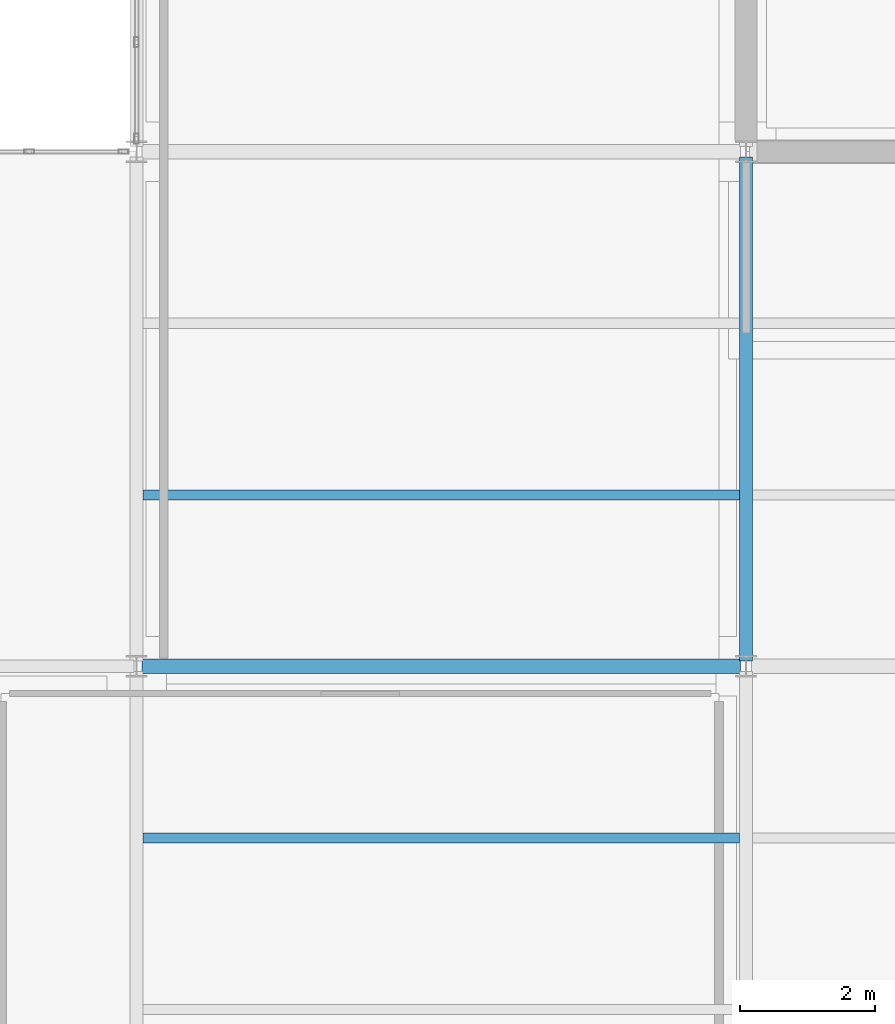
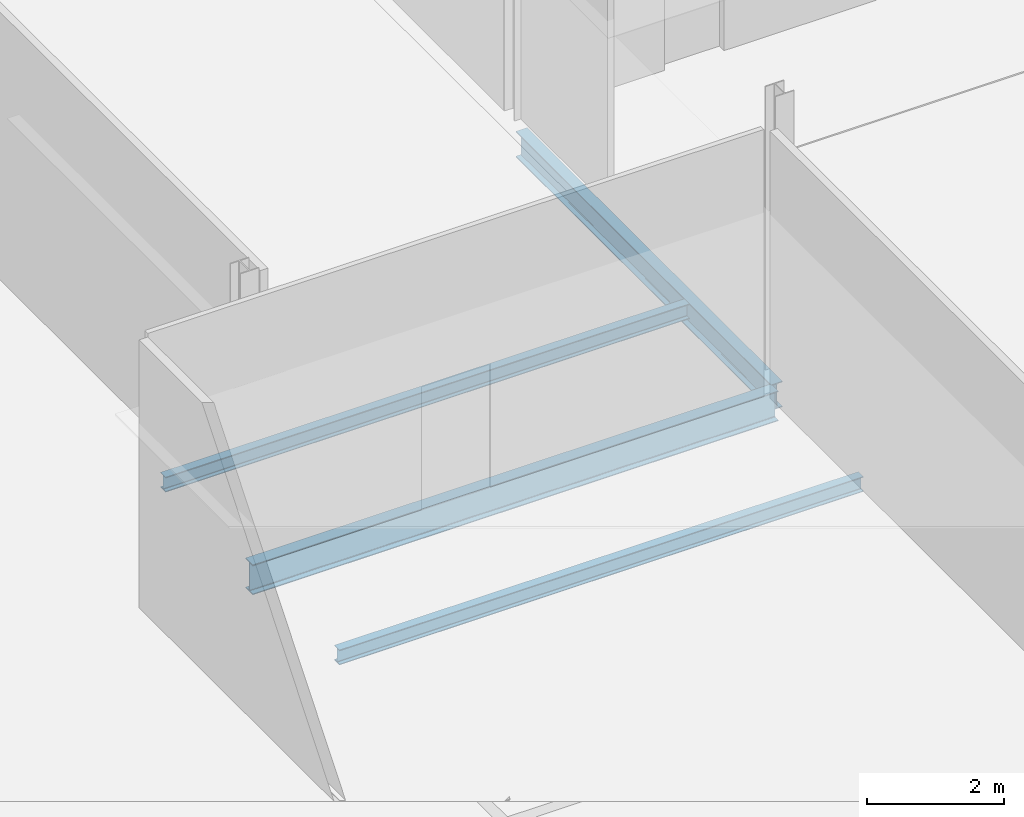
# One storey, part 98 of 161: 4 beams.
"""IFC4 building model written with IfcOpenShell, lengths in metres."""

from ifc_helpers import new_model, si_unit, direction, frame, origin, origin_2d, place, context, subcontext, project, spatial, i_section, extrude, material, material_profile, profile_set, type_object, element, save


model = new_model("IFC4")

# Units and contexts
model_context = context("Model", 3, precision=1e-05, world=origin(), true_north=direction((0.0, 1.0)))
body_context = subcontext(model_context, "Body", "Model", "MODEL_VIEW")
ifc_project = project(units=[si_unit("LENGTHUNIT", "METRE"), si_unit("AREAUNIT", "SQUARE_METRE"), si_unit("VOLUMEUNIT", "CUBIC_METRE"), si_unit("PLANEANGLEUNIT", "RADIAN"), si_unit("MASSUNIT", "GRAM", prefix="KILO")], contexts=[model_context])

# Site, building, storey
site_placement = place(None, origin())
site = spatial("IfcSite", under=ifc_project, at=site_placement, CompositionType="ELEMENT")
building_placement = place(site_placement, origin())
building = spatial("IfcBuilding", under=site, at=building_placement, Name="Caisbarro Railhouse Central Library", CompositionType="ELEMENT")
storey_placement = place(building_placement, origin())
storey = spatial("IfcBuildingStorey", under=building, at=storey_placement, Name="L00", CompositionType="ELEMENT", Elevation=0.0)

# Beams
ifc_material = material(Name="Steel ASTM A572 Grade 50", Category="steel")
ifc_material_profile_1 = material_profile(ifc_material, i_section(OverallWidth=0.208984375, OverallDepth=0.532958984375, WebThickness=0.01025390625, FlangeThickness=0.015625, FilletRadius=0.02001953125, at=origin_2d()), Name="W530X92.0")
ifc_profile_set_1 = profile_set([ifc_material_profile_1], Name="Steel ASTM A572 Grade 50")
beam_type_1 = type_object("IfcBeamType", Name="BM-G06", PredefinedType="BEAM", material=ifc_profile_set_1)
beam_1_placement = place(storey_placement, frame((117.080078125, 98.800048828125, -0.5166015625), z_axis=(1.0, 0.0, 0.0), x_axis=(0.0, 1.0, 0.0)))
element("IfcBeam", 1, at=beam_1_placement, inside=storey, type_object=beam_type_1, Name="G06 beam L00 #510", PredefinedType="BEAM", context=body_context, shape_type="SweptSolid", body=[
    extrude(i_section(OverallWidth=0.208984375, OverallDepth=0.532958984375, WebThickness=0.01025390625, FlangeThickness=0.015625, FilletRadius=0.02001953125, at=origin_2d()), origin(), (0.0, 0.0, 1.0), 8.83984375),
])
ifc_material_profile_2 = material_profile(ifc_material, i_section(OverallWidth=0.18994140625, OverallDepth=0.45703125, WebThickness=0.009033203125, FlangeThickness=0.014404296875, FilletRadius=0.01806640625, at=origin_2d()), Name="W460X74.0")
ifc_profile_set_2 = profile_set([ifc_material_profile_2], Name="Steel ASTM A572 Grade 50")
beam_type_2 = type_object("IfcBeamType", Name="BM-G08", PredefinedType="BEAM", material=ifc_profile_set_2)
beam_2_placement = place(storey_placement, frame((126.0, 98.8798828125, -0.478515625), z_axis=(0.0, 1.0, 0.0), x_axis=(-1.0, 0.0, 0.0)))
element("IfcBeam", 2, at=beam_2_placement, inside=storey, type_object=beam_type_2, Name="G08 beam L00 #534", PredefinedType="BEAM", context=body_context, shape_type="SweptSolid", body=[
    extrude(i_section(OverallWidth=0.18994140625, OverallDepth=0.45703125, WebThickness=0.009033203125, FlangeThickness=0.014404296875, FilletRadius=0.01806640625, at=origin_2d()), origin(), (0.0, 0.0, 1.0), 7.440185546875),
])
ifc_material_profile_3 = material_profile(ifc_material, i_section(OverallWidth=0.14794921875, OverallDepth=0.26611328125, WebThickness=0.007568359375, FlangeThickness=0.012939453125, FilletRadius=0.010009765625, at=origin_2d()), Name="W250X44.8")
ifc_profile_set_3 = profile_set([ifc_material_profile_3], Name="Steel ASTM A572 Grade 50")
beam_type_3 = type_object("IfcBeamType", Name="BM-J04", PredefinedType="JOIST", material=ifc_profile_set_3)
for number, where, z_axis, x_axis, name in (
    (3, (117.094970703125, 96.2666015625, -0.383056640625), (1.0, 0.0, 0.0), (0.0, 1.0, 0.0), "J04 beam L00 #566"),
    (4, (117.094970703125, 101.333251953125, -0.383056640625), (1.0, 0.0, 0.0), (0.0, 1.0, 0.0), "J04 beam L00 #567"),
):
    element("IfcBeam", number, at=place(storey_placement, frame(where, z_axis=z_axis, x_axis=x_axis)), inside=storey, type_object=beam_type_3, Name=name, PredefinedType="JOIST", context=body_context, shape_type="SweptSolid", body=[
        extrude(i_section(OverallWidth=0.14794921875, OverallDepth=0.26611328125, WebThickness=0.007568359375, FlangeThickness=0.012939453125, FilletRadius=0.010009765625, at=origin_2d()), origin(), (0.0, 0.0, 1.0), 8.81005859375),
    ])

save(model, "model.ifc")
